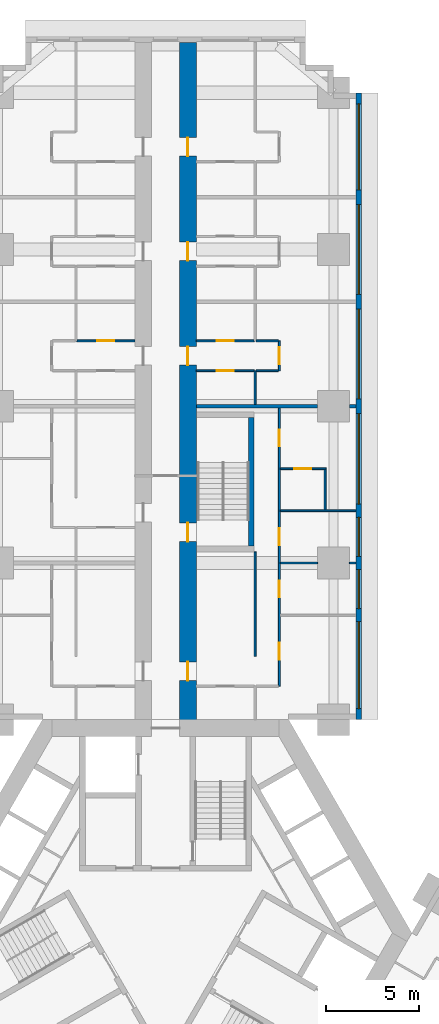
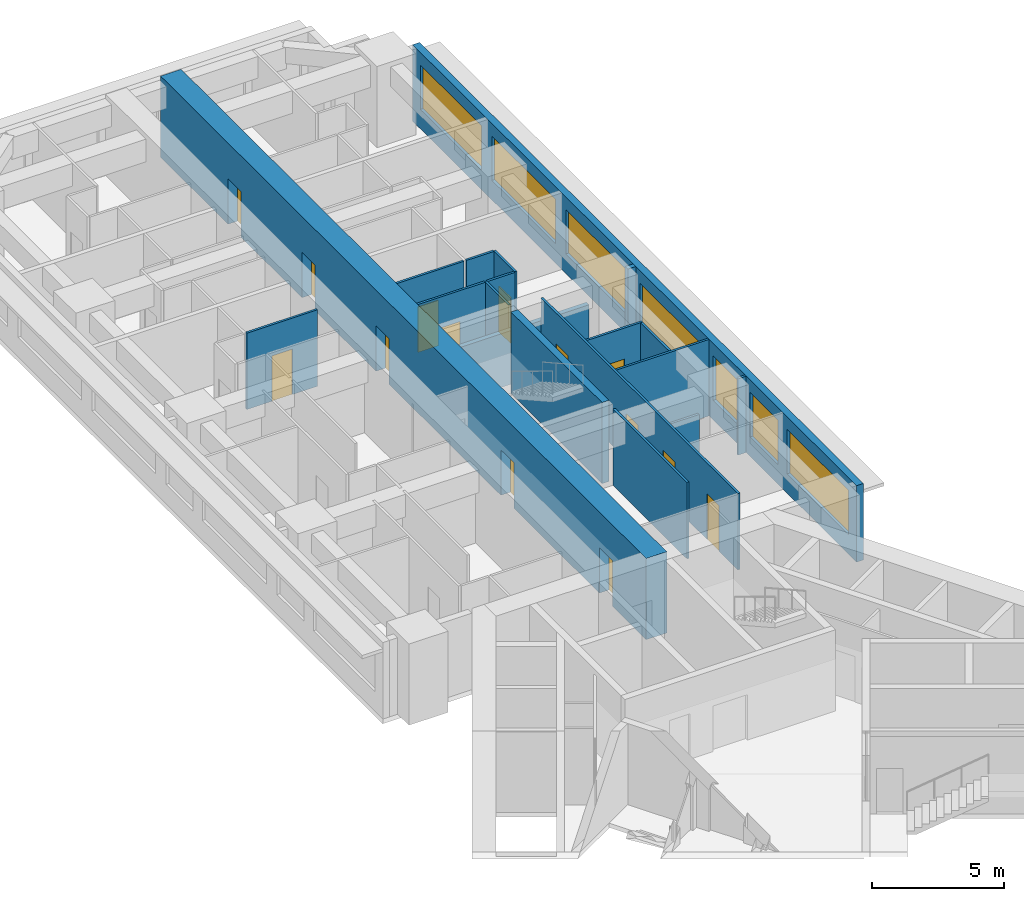
# One storey, part 10 of 16: 19 walls, 14 doors, 7 windows, 21 openings.
"""IFC4 building model written with IfcOpenShell, lengths in metres."""

from ifc_helpers import new_model, si_unit, direction, frame, frame_2d, origin, place, context, subcontext, project, spatial, rectangle, extrude, material, layer, layer_set, type_object, element, fill, save


model = new_model("IFC4")

# Units and contexts
model_context = context("Model", 3, precision=1e-05, world=origin(), true_north=direction((0.0, 1.0)))
body_context = subcontext(model_context, "Body", "Model", "MODEL_VIEW")
ifc_project = project(units=[si_unit("LENGTHUNIT", "METRE"), si_unit("AREAUNIT", "SQUARE_METRE"), si_unit("VOLUMEUNIT", "CUBIC_METRE"), si_unit("PLANEANGLEUNIT", "RADIAN"), si_unit("MASSUNIT", "GRAM", prefix="KILO")], contexts=[model_context])

# Site, building, storey
site_placement = place(None, origin())
site = spatial("IfcSite", under=ifc_project, at=site_placement, CompositionType="ELEMENT")
building_placement = place(site_placement, origin())
building = spatial("IfcBuilding", under=site, at=building_placement, Name="Impinga Residences", CompositionType="ELEMENT")
storey_placement = place(building_placement, frame((0.0, 0.0, 44.75)))
storey = spatial("IfcBuildingStorey", under=building, at=storey_placement, Name="L10", CompositionType="ELEMENT", Elevation=44.75)

# Wall, openings, doors
ifc_material_1 = material(Name="Concrete C70/85", Category="concrete")
ifc_layer_1 = layer(ifc_material_1, 0.89990234375)
ifc_layer_set_1 = layer_set([ifc_layer_1], Name="Concrete C70/85")
wall_type_1 = type_object("IfcWallType", Name="BW1 corridor buttress wall, L05 to L22 900", PredefinedType="SHEAR", material=ifc_layer_set_1)
wall_1_placement = place(storey_placement, frame((1.199951171875, 10.9814453125, 0.0), z_axis=(0.0, 0.0, 1.0), x_axis=(0.0, 1.0, 0.0)))
wall_1 = element("IfcWall", 1, at=wall_1_placement, inside=storey, type_object=wall_type_1, Name="Corridor wall BW1 ND L10", PredefinedType="SHEAR", context=body_context, shape_type="SweptSolid", body=[
    extrude(rectangle(XDim=36.75, YDim=0.89990234375, at=frame_2d((18.375, 0.0))), origin(), (0.0, 0.0, 1.0), 3.75),
])
opening_1_placement = place(wall_1_placement, frame((10.0, 0.0, 0.0)))
opening_1 = element("IfcOpeningElement", 2, at=opening_1_placement, cuts=wall_1, Name="Opening D5", PredefinedType="OPENING", context=body_context, shape_type="SweptSolid", body=[
    extrude(rectangle(XDim=1.0, YDim=2.10009765625, at=frame_2d((0.5, 1.050048828125))), frame((0.0, 0.4599609375, 0.0), z_axis=(0.0, -1.0, 0.0), x_axis=(1.0, 0.0, 0.0)), (0.0, 0.0, 1.0), 0.919921875),
])
opening_2_placement = place(wall_1_placement, frame((2.550048828125, 0.0, 0.0)))
opening_2 = element("IfcOpeningElement", 3, at=opening_2_placement, cuts=wall_1, Name="Opening D1", PredefinedType="OPENING", context=body_context, shape_type="SweptSolid", body=[
    extrude(rectangle(XDim=1.0, YDim=2.10009765625, at=frame_2d((0.5, 1.050048828125))), frame((0.0, 0.4599609375, 0.0), z_axis=(0.0, -1.0, 0.0), x_axis=(1.0, 0.0, 0.0)), (0.0, 0.0, 1.0), 0.919921875),
])
opening_3_placement = place(wall_1_placement, frame((19.449951171875, 0.0, 0.0)))
opening_3 = element("IfcOpeningElement", 4, at=opening_3_placement, cuts=wall_1, Name="Opening D1", PredefinedType="OPENING", context=body_context, shape_type="SweptSolid", body=[
    extrude(rectangle(XDim=1.0, YDim=2.10009765625, at=frame_2d((0.5, 1.050048828125))), frame((0.0, 0.4599609375, 0.0), z_axis=(0.0, -1.0, 0.0), x_axis=(1.0, 0.0, 0.0)), (0.0, 0.0, 1.0), 0.919921875),
])
opening_4_placement = place(wall_1_placement, frame((25.050048828125, 0.0, 0.0)))
opening_4 = element("IfcOpeningElement", 5, at=opening_4_placement, cuts=wall_1, Name="Opening D1", PredefinedType="OPENING", context=body_context, shape_type="SweptSolid", body=[
    extrude(rectangle(XDim=1.0, YDim=2.10009765625, at=frame_2d((0.5, 1.050048828125))), frame((0.0, 0.4599609375, 0.0), z_axis=(0.0, -1.0, 0.0), x_axis=(1.0, 0.0, 0.0)), (0.0, 0.0, 1.0), 0.919921875),
])
opening_5_placement = place(wall_1_placement, frame((30.64990234375, 0.0, 0.0)))
opening_5 = element("IfcOpeningElement", 6, at=opening_5_placement, cuts=wall_1, Name="Opening D1", PredefinedType="OPENING", context=body_context, shape_type="SweptSolid", body=[
    extrude(rectangle(XDim=1.0, YDim=2.10009765625, at=frame_2d((0.5, 1.050048828125))), frame((0.0, 0.4599609375, 0.0), z_axis=(0.0, -1.0, 0.0), x_axis=(1.0, 0.0, 0.0)), (0.0, 0.0, 1.0), 0.919921875),
])
ifc_material_2 = material(Name="Timber door set", Category="wood")
door_type_1 = type_object("IfcDoorType", Name="D1 apartment entrance door 1000x2100", OperationType="SINGLE_SWING_LEFT", PredefinedType="DOOR", material=ifc_material_2)
door_1_placement = place(opening_2_placement, origin())
door_1 = element("IfcDoor", 7, at=door_1_placement, inside=storey, type_object=door_type_1, Name="Apartment L10-NF1 entrance", OperationType="SINGLE_SWING_LEFT", OverallHeight=2.10009765625, OverallWidth=1.0, PredefinedType="DOOR", context=body_context, shape_type="SweptSolid", body=[
    extrude(rectangle(XDim=1.0, YDim=2.10009765625, at=frame_2d((0.5, 1.050048828125))), frame((0.0, 0.02490234375, 0.0), z_axis=(0.0, -1.0, 0.0), x_axis=(1.0, 0.0, 0.0)), (0.0, 0.0, 1.0), 0.050048828125),
])
fill(opening_2, door_1)
door_2_placement = place(opening_3_placement, origin())
door_2 = element("IfcDoor", 8, at=door_2_placement, inside=storey, type_object=door_type_1, Name="Apartment L10-NF2 entrance", OperationType="SINGLE_SWING_RIGHT", OverallHeight=2.10009765625, OverallWidth=1.0, PredefinedType="DOOR", context=body_context, shape_type="SweptSolid", body=[
    extrude(rectangle(XDim=1.0, YDim=2.10009765625, at=frame_2d((0.5, 1.050048828125))), frame((0.0, 0.02490234375, 0.0), z_axis=(0.0, -1.0, 0.0), x_axis=(1.0, 0.0, 0.0)), (0.0, 0.0, 1.0), 0.050048828125),
])
fill(opening_3, door_2)
door_3_placement = place(opening_4_placement, origin())
door_3 = element("IfcDoor", 9, at=door_3_placement, inside=storey, type_object=door_type_1, Name="Apartment L10-NF3 entrance", OperationType="SINGLE_SWING_RIGHT", OverallHeight=2.10009765625, OverallWidth=1.0, PredefinedType="DOOR", context=body_context, shape_type="SweptSolid", body=[
    extrude(rectangle(XDim=1.0, YDim=2.10009765625, at=frame_2d((0.5, 1.050048828125))), frame((0.0, 0.02490234375, 0.0), z_axis=(0.0, -1.0, 0.0), x_axis=(1.0, 0.0, 0.0)), (0.0, 0.0, 1.0), 0.050048828125),
])
fill(opening_4, door_3)
door_4_placement = place(opening_5_placement, origin())
door_4 = element("IfcDoor", 10, at=door_4_placement, inside=storey, type_object=door_type_1, Name="Apartment L10-NF4 entrance", OperationType="SINGLE_SWING_RIGHT", OverallHeight=2.10009765625, OverallWidth=1.0, PredefinedType="DOOR", context=body_context, shape_type="SweptSolid", body=[
    extrude(rectangle(XDim=1.0, YDim=2.10009765625, at=frame_2d((0.5, 1.050048828125))), frame((0.0, 0.02490234375, 0.0), z_axis=(0.0, -1.0, 0.0), x_axis=(1.0, 0.0, 0.0)), (0.0, 0.0, 1.0), 0.050048828125),
])
fill(opening_5, door_4)
door_type_2 = type_object("IfcDoorType", Name="D5 stair door 1000x2100", OperationType="SINGLE_SWING_LEFT", PredefinedType="DOOR", material=ifc_material_2)
door_5_placement = place(opening_1_placement, origin())
door_5 = element("IfcDoor", 11, at=door_5_placement, inside=storey, type_object=door_type_2, Name="Wing stair door N", OperationType="SINGLE_SWING_LEFT", OverallHeight=2.10009765625, OverallWidth=1.0, PredefinedType="DOOR", context=body_context, shape_type="SweptSolid", body=[
    extrude(rectangle(XDim=1.0, YDim=2.10009765625, at=frame_2d((0.5, 1.050048828125))), frame((0.0, 0.02490234375, 0.0), z_axis=(0.0, -1.0, 0.0), x_axis=(1.0, 0.0, 0.0)), (0.0, 0.0, 1.0), 0.050048828125),
])
fill(opening_1, door_5)

# Wall, openings, windows
ifc_material_3 = material(Name="Terracotta rainscreen on blockwork", Category="masonry")
ifc_layer_2 = layer(ifc_material_3, 0.300048828125)
ifc_layer_set_2 = layer_set([ifc_layer_2], Name="EW1 external wall, terracotta rainscreen on blockwork 300")
wall_type_2 = type_object("IfcWallType", Name="EW1 external wall, terracotta rainscreen on blockwork 300", PredefinedType="SOLIDWALL", material=ifc_layer_set_2)
wall_2_placement = place(storey_placement, frame((10.35009765625, 45.031494140625, 0.0), z_axis=(0.0, 0.0, 1.0), x_axis=(0.0, -1.0, 0.0)))
wall_2 = element("IfcWall", 12, at=wall_2_placement, inside=storey, type_object=wall_type_2, Name="External wall EW1 L10", PredefinedType="SOLIDWALL", context=body_context, shape_type="SweptSolid", body=[
    extrude(rectangle(XDim=33.599853515625, YDim=0.300048828125, at=frame_2d((16.7998046875, 0.0))), origin(), (0.0, 0.0, 1.0), 3.530029296875),
])
opening_6_placement = place(wall_2_placement, frame((0.60009765625, 0.0, 0.89990234375)))
opening_6 = element("IfcOpeningElement", 13, at=opening_6_placement, cuts=wall_2, Name="Opening W3", PredefinedType="OPENING", context=body_context, shape_type="SweptSolid", body=[
    extrude(rectangle(XDim=4.60009765625, YDim=2.050048828125, at=frame_2d((2.300048828125, 1.02490234375))), frame((0.0, 0.159912109375, 0.0), z_axis=(0.0, -1.0, 0.0), x_axis=(1.0, 0.0, 0.0)), (0.0, 0.0, 1.0), 0.320068359375),
])
opening_7_placement = place(wall_2_placement, frame((6.0, 0.0, 0.89990234375)))
opening_7 = element("IfcOpeningElement", 14, at=opening_7_placement, cuts=wall_2, Name="Opening W8", PredefinedType="OPENING", context=body_context, shape_type="SweptSolid", body=[
    extrude(rectangle(XDim=4.800048828125, YDim=2.050048828125, at=frame_2d((2.39990234375, 1.02490234375))), frame((0.0, 0.159912109375, 0.0), z_axis=(0.0, -1.0, 0.0), x_axis=(1.0, 0.0, 0.0)), (0.0, 0.0, 1.0), 0.320068359375),
])
opening_8_placement = place(wall_2_placement, frame((11.60009765625, 0.0, 0.89990234375)))
opening_8 = element("IfcOpeningElement", 15, at=opening_8_placement, cuts=wall_2, Name="Opening W8", PredefinedType="OPENING", context=body_context, shape_type="SweptSolid", body=[
    extrude(rectangle(XDim=4.800048828125, YDim=2.050048828125, at=frame_2d((2.39990234375, 1.02490234375))), frame((0.0, 0.159912109375, 0.0), z_axis=(0.0, -1.0, 0.0), x_axis=(1.0, 0.0, 0.0)), (0.0, 0.0, 1.0), 0.320068359375),
])
opening_9_placement = place(wall_2_placement, frame((17.199951171875, 0.0, 0.89990234375)))
opening_9 = element("IfcOpeningElement", 16, at=opening_9_placement, cuts=wall_2, Name="Opening W6", PredefinedType="OPENING", context=body_context, shape_type="SweptSolid", body=[
    extrude(rectangle(XDim=4.85009765625, YDim=2.050048828125, at=frame_2d((2.425048828125, 1.02490234375))), frame((0.0, 0.159912109375, 0.0), z_axis=(0.0, -1.0, 0.0), x_axis=(1.0, 0.0, 0.0)), (0.0, 0.0, 1.0), 0.320068359375),
])
opening_10_placement = place(wall_2_placement, frame((22.75, 0.0, 0.89990234375)))
opening_10 = element("IfcOpeningElement", 17, at=opening_10_placement, cuts=wall_2, Name="Opening W9", PredefinedType="OPENING", context=body_context, shape_type="SweptSolid", body=[
    extrude(rectangle(XDim=2.10009765625, YDim=2.050048828125, at=frame_2d((1.050048828125, 1.02490234375))), frame((0.0, 0.159912109375, 0.0), z_axis=(0.0, -1.0, 0.0), x_axis=(1.0, 0.0, 0.0)), (0.0, 0.0, 1.0), 0.320068359375),
])
opening_11_placement = place(wall_2_placement, frame((25.550048828125, 0.0, 0.89990234375)))
opening_11 = element("IfcOpeningElement", 18, at=opening_11_placement, cuts=wall_2, Name="Opening W9", PredefinedType="OPENING", context=body_context, shape_type="SweptSolid", body=[
    extrude(rectangle(XDim=2.10009765625, YDim=2.050048828125, at=frame_2d((1.050048828125, 1.02490234375))), frame((0.0, 0.159912109375, 0.0), z_axis=(0.0, -1.0, 0.0), x_axis=(1.0, 0.0, 0.0)), (0.0, 0.0, 1.0), 0.320068359375),
])
opening_12_placement = place(wall_2_placement, frame((28.35009765625, 0.0, 0.89990234375)))
opening_12 = element("IfcOpeningElement", 19, at=opening_12_placement, cuts=wall_2, Name="Opening W10", PredefinedType="OPENING", context=body_context, shape_type="SweptSolid", body=[
    extrude(rectangle(XDim=4.64990234375, YDim=2.050048828125, at=frame_2d((2.324951171875, 1.02490234375))), frame((0.0, 0.159912109375, 0.0), z_axis=(0.0, -1.0, 0.0), x_axis=(1.0, 0.0, 0.0)), (0.0, 0.0, 1.0), 0.320068359375),
])
ifc_material_4 = material(Name="Aluminium window, clear double glazing", Category="aluminium")
window_type_1 = type_object("IfcWindowType", Name="W10 ribbon window 4650x2050", PartitioningType="SINGLE_PANEL", PredefinedType="WINDOW", material=ifc_material_4)
window_1_placement = place(opening_12_placement, origin())
window_1 = element("IfcWindow", 20, at=window_1_placement, inside=storey, type_object=window_type_1, Name="Window L10", OverallHeight=2.050048828125, OverallWidth=4.64990234375, PartitioningType="SINGLE_PANEL", PredefinedType="WINDOW", context=body_context, shape_type="SweptSolid", body=[
    extrude(rectangle(XDim=4.64990234375, YDim=2.050048828125, at=frame_2d((2.324951171875, 1.02490234375))), frame((0.0, 0.030029296875, 0.0), z_axis=(0.0, -1.0, 0.0), x_axis=(1.0, 0.0, 0.0)), (0.0, 0.0, 1.0), 0.06005859375),
])
fill(opening_12, window_1)
window_type_2 = type_object("IfcWindowType", Name="W3 ribbon window 4600x2050", PartitioningType="SINGLE_PANEL", PredefinedType="WINDOW", material=ifc_material_4)
window_2_placement = place(opening_6_placement, origin())
window_2 = element("IfcWindow", 21, at=window_2_placement, inside=storey, type_object=window_type_2, Name="Window L10", OverallHeight=2.050048828125, OverallWidth=4.60009765625, PartitioningType="SINGLE_PANEL", PredefinedType="WINDOW", context=body_context, shape_type="SweptSolid", body=[
    extrude(rectangle(XDim=4.60009765625, YDim=2.050048828125, at=frame_2d((2.300048828125, 1.02490234375))), frame((0.0, 0.030029296875, 0.0), z_axis=(0.0, -1.0, 0.0), x_axis=(1.0, 0.0, 0.0)), (0.0, 0.0, 1.0), 0.06005859375),
])
fill(opening_6, window_2)
window_type_3 = type_object("IfcWindowType", Name="W6 ribbon window 4850x2050", PartitioningType="SINGLE_PANEL", PredefinedType="WINDOW", material=ifc_material_4)
window_3_placement = place(opening_9_placement, origin())
window_3 = element("IfcWindow", 22, at=window_3_placement, inside=storey, type_object=window_type_3, Name="Window L10", OverallHeight=2.050048828125, OverallWidth=4.85009765625, PartitioningType="SINGLE_PANEL", PredefinedType="WINDOW", context=body_context, shape_type="SweptSolid", body=[
    extrude(rectangle(XDim=4.85009765625, YDim=2.050048828125, at=frame_2d((2.425048828125, 1.02490234375))), frame((0.0, 0.030029296875, 0.0), z_axis=(0.0, -1.0, 0.0), x_axis=(1.0, 0.0, 0.0)), (0.0, 0.0, 1.0), 0.06005859375),
])
fill(opening_9, window_3)
window_type_4 = type_object("IfcWindowType", Name="W8 ribbon window 4800x2050", PartitioningType="SINGLE_PANEL", PredefinedType="WINDOW", material=ifc_material_4)
window_4_placement = place(opening_7_placement, origin())
window_4 = element("IfcWindow", 23, at=window_4_placement, inside=storey, type_object=window_type_4, Name="Window L10", OverallHeight=2.050048828125, OverallWidth=4.800048828125, PartitioningType="SINGLE_PANEL", PredefinedType="WINDOW", context=body_context, shape_type="SweptSolid", body=[
    extrude(rectangle(XDim=4.800048828125, YDim=2.050048828125, at=frame_2d((2.39990234375, 1.02490234375))), frame((0.0, 0.030029296875, 0.0), z_axis=(0.0, -1.0, 0.0), x_axis=(1.0, 0.0, 0.0)), (0.0, 0.0, 1.0), 0.06005859375),
])
fill(opening_7, window_4)
window_5_placement = place(opening_8_placement, origin())
window_5 = element("IfcWindow", 24, at=window_5_placement, inside=storey, type_object=window_type_4, Name="Window L10", OverallHeight=2.050048828125, OverallWidth=4.800048828125, PartitioningType="SINGLE_PANEL", PredefinedType="WINDOW", context=body_context, shape_type="SweptSolid", body=[
    extrude(rectangle(XDim=4.800048828125, YDim=2.050048828125, at=frame_2d((2.39990234375, 1.02490234375))), frame((0.0, 0.030029296875, 0.0), z_axis=(0.0, -1.0, 0.0), x_axis=(1.0, 0.0, 0.0)), (0.0, 0.0, 1.0), 0.06005859375),
])
fill(opening_8, window_5)
window_type_5 = type_object("IfcWindowType", Name="W9 ribbon window 2100x2050", PartitioningType="SINGLE_PANEL", PredefinedType="WINDOW", material=ifc_material_4)
window_6_placement = place(opening_10_placement, origin())
window_6 = element("IfcWindow", 25, at=window_6_placement, inside=storey, type_object=window_type_5, Name="Window L10", OverallHeight=2.050048828125, OverallWidth=2.10009765625, PartitioningType="SINGLE_PANEL", PredefinedType="WINDOW", context=body_context, shape_type="SweptSolid", body=[
    extrude(rectangle(XDim=2.10009765625, YDim=2.050048828125, at=frame_2d((1.050048828125, 1.02490234375))), frame((0.0, 0.030029296875, 0.0), z_axis=(0.0, -1.0, 0.0), x_axis=(1.0, 0.0, 0.0)), (0.0, 0.0, 1.0), 0.06005859375),
])
fill(opening_10, window_6)
window_7_placement = place(opening_11_placement, origin())
window_7 = element("IfcWindow", 26, at=window_7_placement, inside=storey, type_object=window_type_5, Name="Window L10", OverallHeight=2.050048828125, OverallWidth=2.10009765625, PartitioningType="SINGLE_PANEL", PredefinedType="WINDOW", context=body_context, shape_type="SweptSolid", body=[
    extrude(rectangle(XDim=2.10009765625, YDim=2.050048828125, at=frame_2d((1.050048828125, 1.02490234375))), frame((0.0, 0.030029296875, 0.0), z_axis=(0.0, -1.0, 0.0), x_axis=(1.0, 0.0, 0.0)), (0.0, 0.0, 1.0), 0.06005859375),
])
fill(opening_11, window_7)

# Wall, opening, door
ifc_material_5 = material(Name="Gypsum board on steel studs", Category="steel")
ifc_layer_3 = layer(ifc_material_5, 0.10009765625)
ifc_layer_set_3 = layer_set([ifc_layer_3], Name="Gypsum board on steel studs")
wall_type_3 = type_object("IfcWallType", Name="IP1 partition 100", PredefinedType="PARTITIONING", material=ifc_layer_set_3)
wall_3_placement = place(storey_placement, frame((-1.64990234375, 31.7314453125, 0.0), z_axis=(0.0, 0.0, 1.0), x_axis=(-1.0, 0.0, 0.0)))
wall_3 = element("IfcWall", 27, at=wall_3_placement, inside=storey, type_object=wall_type_3, Name="Partition L10-NA3:IB2", PredefinedType="PARTITIONING", context=body_context, shape_type="SweptSolid", body=[
    extrude(rectangle(XDim=3.10009765625, YDim=0.10009765625, at=frame_2d((1.550048828125, 0.0))), origin(), (0.0, 0.0, 1.0), 3.530029296875),
])
opening_13_placement = place(wall_3_placement, frame((1.10009765625, 0.0, 0.0)))
opening_13 = element("IfcOpeningElement", 28, at=opening_13_placement, cuts=wall_3, Name="Opening D2", PredefinedType="OPENING", context=body_context, shape_type="SweptSolid", body=[
    extrude(rectangle(XDim=0.89990234375, YDim=2.10009765625, at=frame_2d((0.449951171875, 1.050048828125))), frame((0.0, 0.06005859375, 0.0), z_axis=(0.0, -1.0, 0.0), x_axis=(1.0, 0.0, 0.0)), (0.0, 0.0, 1.0), 0.1201171875),
])
door_type_3 = type_object("IfcDoorType", Name="D2 internal door 900x2100", OperationType="SINGLE_SWING_LEFT", PredefinedType="DOOR", material=ifc_material_2)
door_6_placement = place(opening_13_placement, origin())
door_6 = element("IfcDoor", 29, at=door_6_placement, inside=storey, type_object=door_type_3, Name="Apartment L10-NA3 WC door", OperationType="SINGLE_SWING_LEFT", OverallHeight=2.10009765625, OverallWidth=0.89990234375, PredefinedType="DOOR", context=body_context, shape_type="SweptSolid", body=[
    extrude(rectangle(XDim=0.89990234375, YDim=2.10009765625, at=frame_2d((0.449951171875, 1.050048828125))), frame((0.0, 0.02490234375, 0.0), z_axis=(0.0, -1.0, 0.0), x_axis=(1.0, 0.0, 0.0)), (0.0, 0.0, 1.0), 0.050048828125),
])
fill(opening_13, door_6)

# Wall
wall_4_placement = place(storey_placement, frame((4.800048828125, 14.83154296875, 0.0), z_axis=(0.0, 0.0, 1.0), x_axis=(0.0, 1.0, 0.0)))
element("IfcWall", 30, at=wall_4_placement, inside=storey, type_object=wall_type_3, Name="Partition L10-NF1:DIV1", PredefinedType="PARTITIONING", context=body_context, shape_type="SweptSolid", body=[
    extrude(rectangle(XDim=5.60009765625, YDim=0.10009765625, at=frame_2d((2.800048828125, 0.0))), origin(), (0.0, 0.0, 1.0), 3.530029296875),
])

# Wall, openings, doors
wall_5_placement = place(storey_placement, frame((6.10009765625, 13.2314453125, 0.0), z_axis=(0.0, 0.0, 1.0), x_axis=(0.0, 1.0, 0.0)))
wall_5 = element("IfcWall", 31, at=wall_5_placement, inside=storey, type_object=wall_type_3, Name="Partition L10-NF1:STRIP", PredefinedType="PARTITIONING", context=body_context, shape_type="SweptSolid", body=[
    extrude(rectangle(XDim=14.900146484375, YDim=0.10009765625, at=frame_2d((7.4501953125, 0.0))), origin(), (0.0, 0.0, 1.0), 3.530029296875),
])
opening_14_placement = place(wall_5_placement, frame((1.425048828125, 0.0, 0.0)))
opening_14 = element("IfcOpeningElement", 32, at=opening_14_placement, cuts=wall_5, Name="Opening D2", PredefinedType="OPENING", context=body_context, shape_type="SweptSolid", body=[
    extrude(rectangle(XDim=0.89990234375, YDim=2.10009765625, at=frame_2d((0.449951171875, 1.050048828125))), frame((0.0, 0.06005859375, 0.0), z_axis=(0.0, -1.0, 0.0), x_axis=(1.0, 0.0, 0.0)), (0.0, 0.0, 1.0), 0.1201171875),
])
opening_15_placement = place(wall_5_placement, frame((4.75, 0.0, 0.0)))
opening_15 = element("IfcOpeningElement", 33, at=opening_15_placement, cuts=wall_5, Name="Opening D2", PredefinedType="OPENING", context=body_context, shape_type="SweptSolid", body=[
    extrude(rectangle(XDim=0.89990234375, YDim=2.10009765625, at=frame_2d((0.449951171875, 1.050048828125))), frame((0.0, 0.06005859375, 0.0), z_axis=(0.0, -1.0, 0.0), x_axis=(1.0, 0.0, 0.0)), (0.0, 0.0, 1.0), 0.1201171875),
])
opening_16_placement = place(wall_5_placement, frame((7.550048828125, 0.0, 0.0)))
opening_16 = element("IfcOpeningElement", 34, at=opening_16_placement, cuts=wall_5, Name="Opening D2", PredefinedType="OPENING", context=body_context, shape_type="SweptSolid", body=[
    extrude(rectangle(XDim=0.89990234375, YDim=2.10009765625, at=frame_2d((0.449951171875, 1.050048828125))), frame((0.0, 0.06005859375, 0.0), z_axis=(0.0, -1.0, 0.0), x_axis=(1.0, 0.0, 0.0)), (0.0, 0.0, 1.0), 0.1201171875),
])
opening_17_placement = place(wall_5_placement, frame((12.85009765625, 0.0, 0.0)))
opening_17 = element("IfcOpeningElement", 35, at=opening_17_placement, cuts=wall_5, Name="Opening D2", PredefinedType="OPENING", context=body_context, shape_type="SweptSolid", body=[
    extrude(rectangle(XDim=0.89990234375, YDim=2.10009765625, at=frame_2d((0.449951171875, 1.050048828125))), frame((0.0, 0.06005859375, 0.0), z_axis=(0.0, -1.0, 0.0), x_axis=(1.0, 0.0, 0.0)), (0.0, 0.0, 1.0), 0.1201171875),
])
door_7_placement = place(opening_14_placement, origin())
door_7 = element("IfcDoor", 36, at=door_7_placement, inside=storey, type_object=door_type_3, Name="Apartment L10-NF1 room door", OperationType="SINGLE_SWING_LEFT", OverallHeight=2.10009765625, OverallWidth=0.89990234375, PredefinedType="DOOR", context=body_context, shape_type="SweptSolid", body=[
    extrude(rectangle(XDim=0.89990234375, YDim=2.10009765625, at=frame_2d((0.449951171875, 1.050048828125))), frame((0.0, 0.02490234375, 0.0), z_axis=(0.0, -1.0, 0.0), x_axis=(1.0, 0.0, 0.0)), (0.0, 0.0, 1.0), 0.050048828125),
])
fill(opening_14, door_7)
door_8_placement = place(opening_15_placement, origin())
door_8 = element("IfcDoor", 37, at=door_8_placement, inside=storey, type_object=door_type_3, Name="Apartment L10-NF1 room door", OperationType="SINGLE_SWING_LEFT", OverallHeight=2.10009765625, OverallWidth=0.89990234375, PredefinedType="DOOR", context=body_context, shape_type="SweptSolid", body=[
    extrude(rectangle(XDim=0.89990234375, YDim=2.10009765625, at=frame_2d((0.449951171875, 1.050048828125))), frame((0.0, 0.02490234375, 0.0), z_axis=(0.0, -1.0, 0.0), x_axis=(1.0, 0.0, 0.0)), (0.0, 0.0, 1.0), 0.050048828125),
])
fill(opening_15, door_8)
door_9_placement = place(opening_16_placement, origin())
door_9 = element("IfcDoor", 38, at=door_9_placement, inside=storey, type_object=door_type_3, Name="Apartment L10-NF1 room door", OperationType="SINGLE_SWING_RIGHT", OverallHeight=2.10009765625, OverallWidth=0.89990234375, PredefinedType="DOOR", context=body_context, shape_type="SweptSolid", body=[
    extrude(rectangle(XDim=0.89990234375, YDim=2.10009765625, at=frame_2d((0.449951171875, 1.050048828125))), frame((0.0, 0.02490234375, 0.0), z_axis=(0.0, -1.0, 0.0), x_axis=(1.0, 0.0, 0.0)), (0.0, 0.0, 1.0), 0.050048828125),
])
fill(opening_16, door_9)
door_10_placement = place(opening_17_placement, origin())
door_10 = element("IfcDoor", 39, at=door_10_placement, inside=storey, type_object=door_type_3, Name="Apartment L10-NF1 room door", OperationType="SINGLE_SWING_RIGHT", OverallHeight=2.10009765625, OverallWidth=0.89990234375, PredefinedType="DOOR", context=body_context, shape_type="SweptSolid", body=[
    extrude(rectangle(XDim=0.89990234375, YDim=2.10009765625, at=frame_2d((0.449951171875, 1.050048828125))), frame((0.0, 0.02490234375, 0.0), z_axis=(0.0, -1.0, 0.0), x_axis=(1.0, 0.0, 0.0)), (0.0, 0.0, 1.0), 0.050048828125),
])
fill(opening_17, door_10)

# Walls
wall_6_placement = place(storey_placement, frame((6.14990234375, 19.83154296875, 0.0), z_axis=(0.0, 0.0, 1.0), x_axis=(1.0, 0.0, 0.0)))
element("IfcWall", 40, at=wall_6_placement, inside=storey, type_object=wall_type_3, Name="Partition L10-NF1:OB2", PredefinedType="PARTITIONING", context=body_context, shape_type="SweptSolid", body=[
    extrude(rectangle(XDim=2.0, YDim=0.10009765625, at=frame_2d((1.0, 0.0))), origin(), (0.0, 0.0, 1.0), 2.47998046875),
])
wall_7_placement = place(storey_placement, frame((9.85009765625, 19.83154296875, 0.0), z_axis=(0.0, 0.0, 1.0), x_axis=(1.0, 0.0, 0.0)))
element("IfcWall", 41, at=wall_7_placement, inside=storey, type_object=wall_type_3, Name="Partition L10-NF1:OB2b", PredefinedType="PARTITIONING", context=body_context, shape_type="SweptSolid", body=[
    extrude(rectangle(XDim=0.349853515625, YDim=0.10009765625, at=frame_2d((0.1748046875, 0.0))), origin(), (0.0, 0.0, 1.0), 3.530029296875),
])
wall_8_placement = place(storey_placement, frame((6.14990234375, 22.631591796875, 0.0), z_axis=(0.0, 0.0, 1.0), x_axis=(1.0, 0.0, 0.0)))
element("IfcWall", 42, at=wall_8_placement, inside=storey, type_object=wall_type_3, Name="Partition L10-NF1:OB3", PredefinedType="PARTITIONING", context=body_context, shape_type="SweptSolid", body=[
    extrude(rectangle(XDim=4.050048828125, YDim=0.10009765625, at=frame_2d((2.02490234375, 0.0))), origin(), (0.0, 0.0, 1.0), 3.530029296875),
])

# Wall, opening, door
wall_9_placement = place(storey_placement, frame((6.14990234375, 24.881591796875, 0.0), z_axis=(0.0, 0.0, 1.0), x_axis=(1.0, 0.0, 0.0)))
wall_9 = element("IfcWall", 43, at=wall_9_placement, inside=storey, type_object=wall_type_3, Name="Partition L10-NF1:EN1", PredefinedType="PARTITIONING", context=body_context, shape_type="SweptSolid", body=[
    extrude(rectangle(XDim=2.4501953125, YDim=0.10009765625, at=frame_2d((1.22509765625, 0.0))), origin(), (0.0, 0.0, 1.0), 3.530029296875),
])
opening_18_placement = place(wall_9_placement, frame((0.75, 0.0, 0.0)))
opening_18 = element("IfcOpeningElement", 44, at=opening_18_placement, cuts=wall_9, Name="Opening D2", PredefinedType="OPENING", context=body_context, shape_type="SweptSolid", body=[
    extrude(rectangle(XDim=0.89990234375, YDim=2.10009765625, at=frame_2d((0.449951171875, 1.050048828125))), frame((0.0, 0.06005859375, 0.0), z_axis=(0.0, -1.0, 0.0), x_axis=(1.0, 0.0, 0.0)), (0.0, 0.0, 1.0), 0.1201171875),
])
door_11_placement = place(opening_18_placement, origin())
door_11 = element("IfcDoor", 45, at=door_11_placement, inside=storey, type_object=door_type_3, Name="Apartment L10-NF1 en-suite door", OperationType="SINGLE_SWING_LEFT", OverallHeight=2.10009765625, OverallWidth=0.89990234375, PredefinedType="DOOR", context=body_context, shape_type="SweptSolid", body=[
    extrude(rectangle(XDim=0.89990234375, YDim=2.10009765625, at=frame_2d((0.449951171875, 1.050048828125))), frame((0.0, 0.02490234375, 0.0), z_axis=(0.0, -1.0, 0.0), x_axis=(1.0, 0.0, 0.0)), (0.0, 0.0, 1.0), 0.050048828125),
])
fill(opening_18, door_11)

# Walls
wall_10_placement = place(storey_placement, frame((8.550048828125, 22.681640625, 0.0), z_axis=(0.0, 0.0, 1.0), x_axis=(0.0, 1.0, 0.0)))
element("IfcWall", 46, at=wall_10_placement, inside=storey, type_object=wall_type_3, Name="Partition L10-NF1:EN2", PredefinedType="PARTITIONING", context=body_context, shape_type="SweptSolid", body=[
    extrude(rectangle(XDim=2.14990234375, YDim=0.10009765625, at=frame_2d((1.074951171875, 0.0))), origin(), (0.0, 0.0, 1.0), 3.530029296875),
])
wall_11_placement = place(storey_placement, frame((4.800048828125, 28.33154296875, 0.0), z_axis=(0.0, 0.0, 1.0), x_axis=(0.0, 1.0, 0.0)))
element("IfcWall", 47, at=wall_11_placement, inside=storey, type_object=wall_type_3, Name="Partition L10-NF2:DIV0", PredefinedType="PARTITIONING", context=body_context, shape_type="SweptSolid", body=[
    extrude(rectangle(XDim=1.800048828125, YDim=0.10009765625, at=frame_2d((0.89990234375, 0.0))), origin(), (0.0, 0.0, 1.0), 3.530029296875),
])

# Wall, opening, door
wall_12_placement = place(storey_placement, frame((6.10009765625, 30.131591796875, 0.0), z_axis=(0.0, 0.0, 1.0), x_axis=(0.0, 1.0, 0.0)))
wall_12 = element("IfcWall", 48, at=wall_12_placement, inside=storey, type_object=wall_type_3, Name="Partition L10-NF2:STRIP", PredefinedType="PARTITIONING", context=body_context, shape_type="SweptSolid", body=[
    extrude(rectangle(XDim=1.599853515625, YDim=0.10009765625, at=frame_2d((0.7998046875, 0.0))), origin(), (0.0, 0.0, 1.0), 3.530029296875),
])
opening_19_placement = place(wall_12_placement, frame((0.35009765625, 0.0, 0.0)))
opening_19 = element("IfcOpeningElement", 49, at=opening_19_placement, cuts=wall_12, Name="Opening D2", PredefinedType="OPENING", context=body_context, shape_type="SweptSolid", body=[
    extrude(rectangle(XDim=0.89990234375, YDim=2.10009765625, at=frame_2d((0.449951171875, 1.050048828125))), frame((0.0, 0.06005859375, 0.0), z_axis=(0.0, -1.0, 0.0), x_axis=(1.0, 0.0, 0.0)), (0.0, 0.0, 1.0), 0.1201171875),
])
door_12_placement = place(opening_19_placement, origin())
door_12 = element("IfcDoor", 50, at=door_12_placement, inside=storey, type_object=door_type_3, Name="Apartment L10-NF2 room door", OperationType="SINGLE_SWING_LEFT", OverallHeight=2.10009765625, OverallWidth=0.89990234375, PredefinedType="DOOR", context=body_context, shape_type="SweptSolid", body=[
    extrude(rectangle(XDim=0.89990234375, YDim=2.10009765625, at=frame_2d((0.449951171875, 1.050048828125))), frame((0.0, 0.02490234375, 0.0), z_axis=(0.0, -1.0, 0.0), x_axis=(1.0, 0.0, 0.0)), (0.0, 0.0, 1.0), 0.050048828125),
])
fill(opening_19, door_12)

# Walls
for number, where, z_axis, x_axis, name in (
    (51, (4.85009765625, 30.131591796875, 0.0), (0.0, 0.0, 1.0), (1.0, 0.0, 0.0), "Partition L10-NF2:SE0"),
    (52, (4.85009765625, 31.7314453125, 0.0), (0.0, 0.0, 1.0), (1.0, 0.0, 0.0), "Partition L10-NF2:SE1"),
):
    element("IfcWall", number, at=place(storey_placement, frame(where, z_axis=z_axis, x_axis=x_axis)), inside=storey, type_object=wall_type_3, Name=name, PredefinedType="PARTITIONING", context=body_context, shape_type="SweptSolid", body=[
        extrude(rectangle(XDim=1.199951171875, YDim=0.10009765625, at=frame_2d((0.60009765625, 0.0))), origin(), (0.0, 0.0, 1.0), 3.530029296875),
    ])

# Wall, opening, door
wall_13_placement = place(storey_placement, frame((1.64990234375, 30.131591796875, 0.0), z_axis=(0.0, 0.0, 1.0), x_axis=(1.0, 0.0, 0.0)))
wall_13 = element("IfcWall", 53, at=wall_13_placement, inside=storey, type_object=wall_type_3, Name="Partition L10-NF2:IB1", PredefinedType="PARTITIONING", context=body_context, shape_type="SweptSolid", body=[
    extrude(rectangle(XDim=3.10009765625, YDim=0.10009765625, at=frame_2d((1.550048828125, 0.0))), origin(), (0.0, 0.0, 1.0), 3.530029296875),
])
opening_20_placement = place(wall_13_placement, frame((1.10009765625, 0.0, 0.0)))
opening_20 = element("IfcOpeningElement", 54, at=opening_20_placement, cuts=wall_13, Name="Opening D2", PredefinedType="OPENING", context=body_context, shape_type="SweptSolid", body=[
    extrude(rectangle(XDim=0.89990234375, YDim=2.10009765625, at=frame_2d((0.449951171875, 1.050048828125))), frame((0.0, 0.06005859375, 0.0), z_axis=(0.0, -1.0, 0.0), x_axis=(1.0, 0.0, 0.0)), (0.0, 0.0, 1.0), 0.1201171875),
])
door_13_placement = place(opening_20_placement, origin())
door_13 = element("IfcDoor", 55, at=door_13_placement, inside=storey, type_object=door_type_3, Name="Apartment L10-NF2 bathroom door", OperationType="SINGLE_SWING_LEFT", OverallHeight=2.10009765625, OverallWidth=0.89990234375, PredefinedType="DOOR", context=body_context, shape_type="SweptSolid", body=[
    extrude(rectangle(XDim=0.89990234375, YDim=2.10009765625, at=frame_2d((0.449951171875, 1.050048828125))), frame((0.0, 0.02490234375, 0.0), z_axis=(0.0, -1.0, 0.0), x_axis=(1.0, 0.0, 0.0)), (0.0, 0.0, 1.0), 0.050048828125),
])
fill(opening_20, door_13)

wall_14_placement = place(storey_placement, frame((1.64990234375, 31.7314453125, 0.0), z_axis=(0.0, 0.0, 1.0), x_axis=(1.0, 0.0, 0.0)))
wall_14 = element("IfcWall", 56, at=wall_14_placement, inside=storey, type_object=wall_type_3, Name="Partition L10-NF2:IB2", PredefinedType="PARTITIONING", context=body_context, shape_type="SweptSolid", body=[
    extrude(rectangle(XDim=3.10009765625, YDim=0.10009765625, at=frame_2d((1.550048828125, 0.0))), origin(), (0.0, 0.0, 1.0), 3.530029296875),
])
opening_21_placement = place(wall_14_placement, frame((1.10009765625, 0.0, 0.0)))
opening_21 = element("IfcOpeningElement", 57, at=opening_21_placement, cuts=wall_14, Name="Opening D2", PredefinedType="OPENING", context=body_context, shape_type="SweptSolid", body=[
    extrude(rectangle(XDim=0.89990234375, YDim=2.10009765625, at=frame_2d((0.449951171875, 1.050048828125))), frame((0.0, 0.06005859375, 0.0), z_axis=(0.0, -1.0, 0.0), x_axis=(1.0, 0.0, 0.0)), (0.0, 0.0, 1.0), 0.1201171875),
])
door_14_placement = place(opening_21_placement, origin())
door_14 = element("IfcDoor", 58, at=door_14_placement, inside=storey, type_object=door_type_3, Name="Apartment L10-NF2 WC door", OperationType="SINGLE_SWING_LEFT", OverallHeight=2.10009765625, OverallWidth=0.89990234375, PredefinedType="DOOR", context=body_context, shape_type="SweptSolid", body=[
    extrude(rectangle(XDim=0.89990234375, YDim=2.10009765625, at=frame_2d((0.449951171875, 1.050048828125))), frame((0.0, 0.02490234375, 0.0), z_axis=(0.0, -1.0, 0.0), x_axis=(1.0, 0.0, 0.0)), (0.0, 0.0, 1.0), 0.050048828125),
])
fill(opening_21, door_14)

# Walls
ifc_material_6 = material(Name="Concrete blockwork", Category="masonry")
ifc_layer_4 = layer(ifc_material_6, 0.199951171875)
ifc_layer_set_4 = layer_set([ifc_layer_4], Name="PW1 party wall between apartments 200")
wall_type_4 = type_object("IfcWallType", Name="PW1 party wall between apartments 200", PredefinedType="SOLIDWALL", material=ifc_layer_set_4)
wall_15_placement = place(storey_placement, frame((1.64990234375, 28.2314453125, 0.0), z_axis=(0.0, 0.0, 1.0), x_axis=(1.0, 0.0, 0.0)))
element("IfcWall", 59, at=wall_15_placement, inside=storey, type_object=wall_type_4, Name="Party wall between apartments L10-NF1:PARTY", PredefinedType="SOLIDWALL", context=body_context, shape_type="SweptSolid", body=[
    extrude(rectangle(XDim=6.5, YDim=0.199951171875, at=frame_2d((3.25, 0.0))), origin(), (0.0, 0.0, 1.0), 2.47998046875),
])
wall_16_placement = place(storey_placement, frame((9.85009765625, 28.2314453125, 0.0), z_axis=(0.0, 0.0, 1.0), x_axis=(1.0, 0.0, 0.0)))
element("IfcWall", 60, at=wall_16_placement, inside=storey, type_object=wall_type_4, Name="Party wall between apartments L10-NF1:PARTYb", PredefinedType="SOLIDWALL", context=body_context, shape_type="SweptSolid", body=[
    extrude(rectangle(XDim=0.349853515625, YDim=0.199951171875, at=frame_2d((0.1748046875, 0.0))), origin(), (0.0, 0.0, 1.0), 3.530029296875),
])
ifc_material_7 = material(Name="Concrete C60/75", Category="concrete")
ifc_layer_5 = layer(ifc_material_7, 0.300048828125)
ifc_layer_set_5 = layer_set([ifc_layer_5], Name="Concrete C60/75")
wall_type_5 = type_object("IfcWallType", Name="SE1 wing stair enclosure wall 300", PredefinedType="SOLIDWALL", material=ifc_layer_set_5)
wall_17_placement = place(storey_placement, frame((4.60009765625, 20.7314453125, 0.0), z_axis=(0.0, 0.0, 1.0), x_axis=(0.0, 1.0, 0.0)))
element("IfcWall", 61, at=wall_17_placement, inside=storey, type_object=wall_type_5, Name="Stair enclosure wall SE1 N OUT L10", PredefinedType="SOLIDWALL", context=body_context, shape_type="SweptSolid", body=[
    extrude(rectangle(XDim=6.900146484375, YDim=0.300048828125, at=frame_2d((3.4501953125, 0.0))), origin(), (0.0, 0.0, 1.0), 3.75),
])

save(model, "model.ifc")
